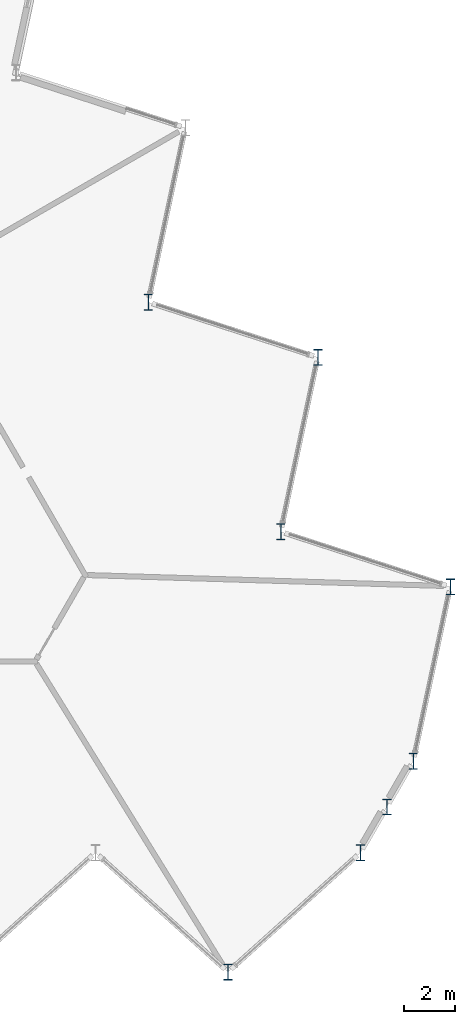
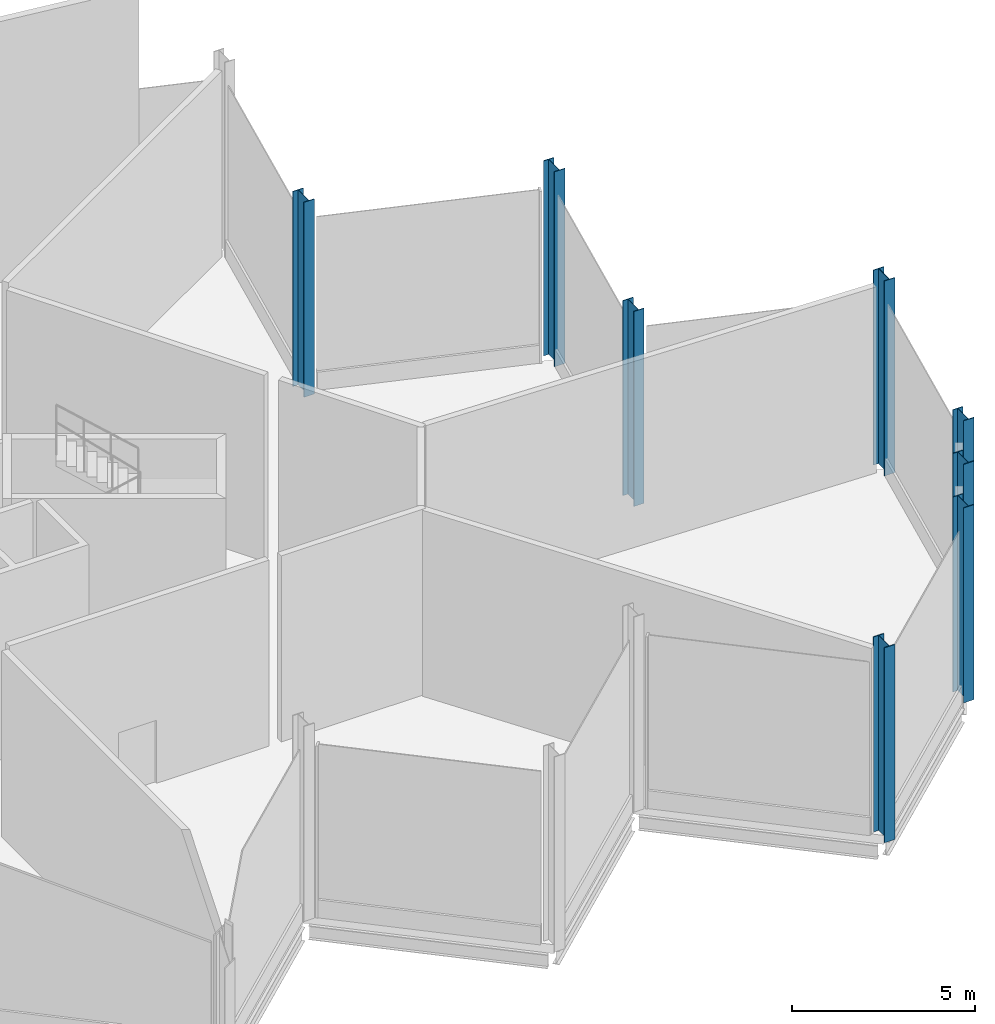
# One storey, part 2 of 12: 8 columns.
"""IFC4 building model written with IfcOpenShell, lengths in metres."""

from ifc_helpers import new_model, si_unit, direction, frame, origin, origin_2d, place, context, subcontext, project, spatial, i_section, extrude, material, material_profile, profile_set, type_object, element, save


model = new_model("IFC4")

# Units and contexts
model_context = context("Model", 3, precision=1e-05, world=origin(), true_north=direction((0.0, 1.0)))
body_context = subcontext(model_context, "Body", "Model", "MODEL_VIEW")
ifc_project = project(units=[si_unit("LENGTHUNIT", "METRE"), si_unit("AREAUNIT", "SQUARE_METRE"), si_unit("VOLUMEUNIT", "CUBIC_METRE"), si_unit("PLANEANGLEUNIT", "RADIAN"), si_unit("MASSUNIT", "GRAM", prefix="KILO")], contexts=[model_context])

# Site, building, storey
site_placement = place(None, origin())
site = spatial("IfcSite", under=ifc_project, at=site_placement, CompositionType="ELEMENT")
building_placement = place(site_placement, origin())
building = spatial("IfcBuilding", under=site, at=building_placement, Name="Cormorant Prow Tower", CompositionType="ELEMENT")
storey_placement = place(building_placement, frame((0.0, 0.0, 434.699951171875)))
storey = spatial("IfcBuildingStorey", under=building, at=storey_placement, Name="L97", CompositionType="ELEMENT", Elevation=434.699951171875)

# Columns
ifc_material = material(Name="Structural steel ASTM A992 Gr 50", Category="steel")
ifc_material_profile = material_profile(ifc_material, i_section(OverallWidth=0.326416015625, OverallDepth=0.621826171875, WebThickness=0.015380859375, FlangeThickness=0.0244140625, at=origin_2d()), Name="W24x131")
ifc_profile_set = profile_set([ifc_material_profile], Name="Structural steel ASTM A992 Gr 50")
column_type = type_object("IfcColumnType", Name="Crown frame column W24x131", PredefinedType="COLUMN", material=ifc_profile_set)
for number, where, z_axis, x_axis, name in (
    (1, (20.800048828125, -22.087890625, 0.0), (0.0, 0.0, 1.0), (1.0, 0.0, 0.0), "Crown frame column at S09 L97"),
    (2, (26.0, -17.40576171875, 0.0), (0.0, 0.0, 1.0), (1.0, 0.0, 0.0), "Crown frame column at ESE00 L97"),
    (3, (27.036865234375, -15.60986328125, 0.0), (0.0, 0.0, 1.0), (1.0, 0.0, 0.0), "Crown frame column at ESE01 L97"),
    (4, (28.07373046875, -13.813720703125, 0.0), (0.0, 0.0, 1.0), (1.0, 0.0, 0.0), "Crown frame column at ENE00 L97"),
    (5, (29.528564453125, -6.969482421875, 0.0), (0.0, 0.0, 1.0), (1.0, 0.0, 0.0), "Crown frame column at ENE01 L97"),
    (6, (22.873779296875, -4.80712890625, 0.0), (0.0, 0.0, 1.0), (1.0, 0.0, 0.0), "Crown frame column at ENE02 L97"),
    (7, (24.32861328125, 2.037353515625, 0.0), (0.0, 0.0, 1.0), (1.0, 0.0, 0.0), "Crown frame column at ENE03 L97"),
    (8, (17.673828125, 4.199462890625, 0.0), (0.0, 0.0, 1.0), (1.0, 0.0, 0.0), "Crown frame column at ENE04 L97"),
):
    element("IfcColumn", number, at=place(storey_placement, frame(where, z_axis=z_axis, x_axis=x_axis)), inside=storey, type_object=column_type, Name=name, PredefinedType="COLUMN", context=body_context, shape_type="SweptSolid", body=[
        extrude(i_section(OverallWidth=0.326416015625, OverallDepth=0.621826171875, WebThickness=0.015380859375, FlangeThickness=0.0244140625, at=origin_2d()), origin(), (0.0, 0.0, 1.0), 6.5),
    ])

save(model, "model.ifc")
